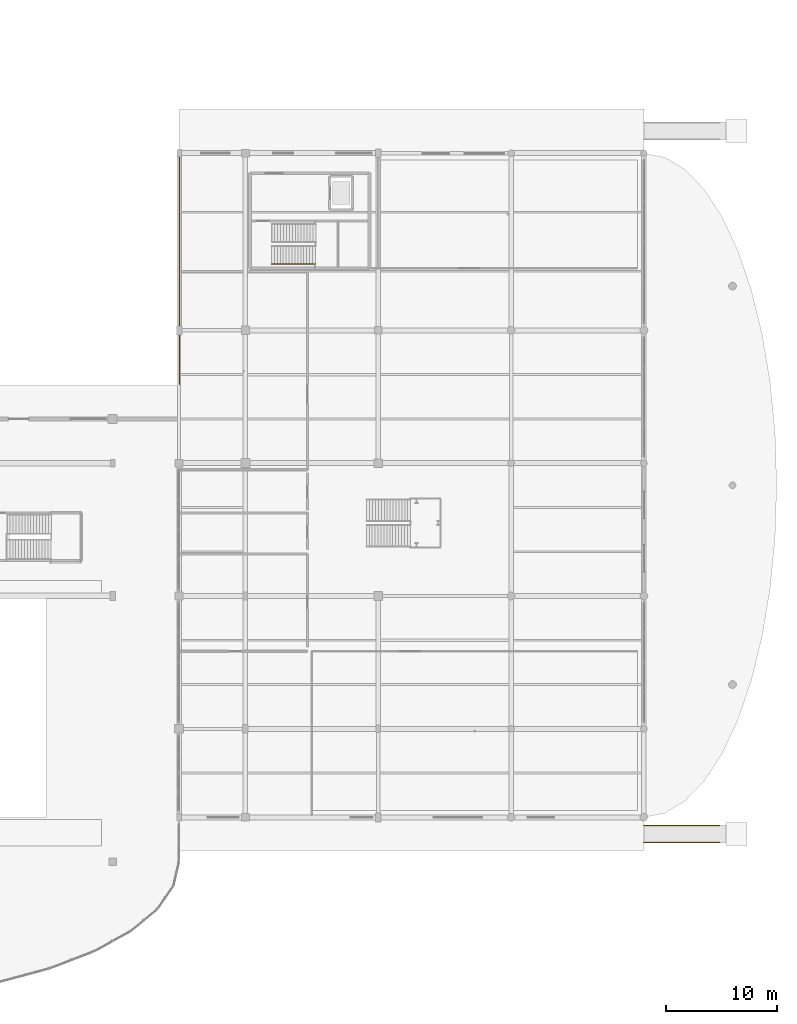
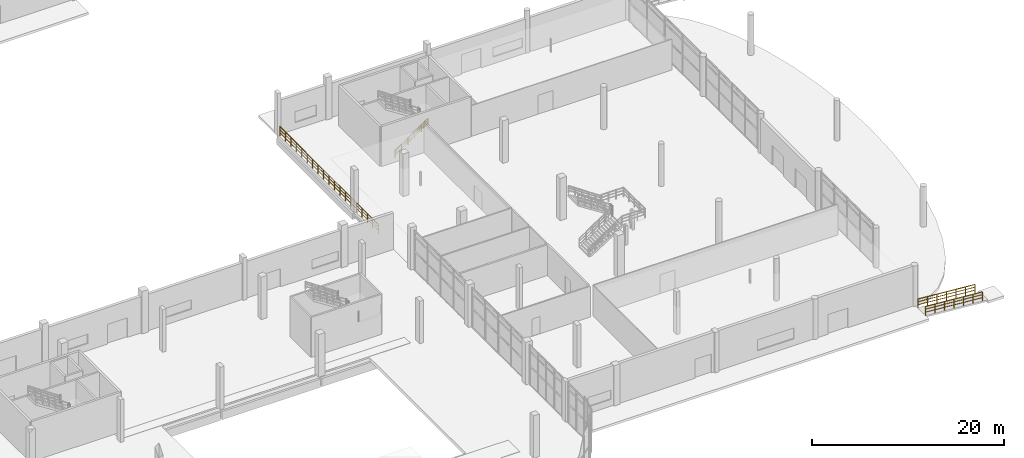
# One storey, part 81 of 85: 4 railings.
"""IFC4 building model written with IfcOpenShell, lengths in metres."""

from ifc_helpers import new_model, si_unit, direction, frame, origin, origin_2d, place, context, subcontext, project, spatial, circle, extrude, material, layer, layer_set, type_object, element, save


model = new_model("IFC4")

# Units and contexts
model_context = context("Model", 3, precision=1e-05, world=origin(), true_north=direction((0.0, 1.0)))
body_context = subcontext(model_context, "Body", "Model", "MODEL_VIEW")
ifc_project = project(units=[si_unit("LENGTHUNIT", "METRE"), si_unit("AREAUNIT", "SQUARE_METRE"), si_unit("VOLUMEUNIT", "CUBIC_METRE"), si_unit("PLANEANGLEUNIT", "RADIAN"), si_unit("MASSUNIT", "GRAM", prefix="KILO"), si_unit("THERMODYNAMICTEMPERATUREUNIT", "KELVIN"), si_unit("POWERUNIT", "WATT")], contexts=[model_context])

# Site, building, storey
site_placement = place(None, origin())
site = spatial("IfcSite", under=ifc_project, at=site_placement, CompositionType="ELEMENT")
building_placement = place(site_placement, origin())
building = spatial("IfcBuilding", under=site, at=building_placement, Name="Solmara Park Aquatics Centre", CompositionType="ELEMENT")
storey_placement = place(building_placement, origin())
storey = spatial("IfcBuildingStorey", under=building, at=storey_placement, Name="L00", CompositionType="ELEMENT", Elevation=0.0)

# Railings
ifc_material_1 = material(Name="Brushed Marine-Grade Stainless Steel 316L Handrail", Category="steel")
ifc_layer_1 = layer(ifc_material_1, 0.044921875, Name="Brushed Marine-Grade Stainless Steel 316L Handrail")
ifc_layer_set_1 = layer_set([ifc_layer_1], Name="Brushed Marine-Grade Stainless Steel 316L Handrail")
railing_type_1 = type_object("IfcRailingType", Name="ARC-RL-HND090", PredefinedType="HANDRAIL", material=ifc_layer_set_1)
railing_1_placement = place(storey_placement, frame((170.35009765625, 66.610107421875, 0.168701171875)))
element("IfcRailing", 1, at=railing_1_placement, inside=storey, type_object=railing_type_1, Name="ST-05 Protected Exit Stair (L00 to L01) Flight 1 Outer Handrail", PredefinedType="HANDRAIL", context=body_context, shape_type="SweptSolid", body=[
    extrude(circle(Radius=0.02392578125, at=origin_2d()), frame((0.0, 0.0, 0.89599609375), z_axis=(0.82718817395, 0.0, 0.56192501713), x_axis=(0.0, 1.0, 0.0)), (0.0, 0.0, 1.0), 4.80517578125),
    extrude(circle(Radius=0.01416015625, at=origin_2d()), frame((0.0, 0.0, 0.322021484375), z_axis=(0.82718817395, 0.0, 0.56192501713), x_axis=(0.0, 1.0, 0.0)), (0.0, 0.0, 1.0), 4.80517578125),
    extrude(circle(Radius=0.01416015625, at=origin_2d()), frame((0.0, 0.0, 0.62548828125), z_axis=(0.82718817395, 0.0, 0.56192501713), x_axis=(0.0, 1.0, 0.0)), (0.0, 0.0, 1.0), 4.80517578125),
    extrude(circle(Radius=0.02099609375, at=origin_2d()), origin(), (0.0, 0.0, 1.0), 0.871826171875),
    extrude(circle(Radius=0.02099609375, at=origin_2d()), frame((0.794921875, 0.0, 0.5400390625)), (0.0, 0.0, 1.0), 0.871826171875),
    extrude(circle(Radius=0.02099609375, at=origin_2d()), frame((1.58984375, 0.0, 1.080078125)), (0.0, 0.0, 1.0), 0.871826171875),
    extrude(circle(Radius=0.02099609375, at=origin_2d()), frame((2.385009765625, 0.0, 1.6201171875)), (0.0, 0.0, 1.0), 0.871826171875),
    extrude(circle(Radius=0.02099609375, at=origin_2d()), frame((3.179931640625, 0.0, 2.16015625)), (0.0, 0.0, 1.0), 0.871826171875),
    extrude(circle(Radius=0.02099609375, at=origin_2d()), frame((3.974853515625, 0.0, 2.7001953125)), (0.0, 0.0, 1.0), 0.871826171875),
])
ifc_material_2 = material(Name="Brushed Marine-Grade Stainless Steel 316L Ramp Handrail", Category="steel")
ifc_layer_2 = layer(ifc_material_2, 0.044921875, Name="Brushed Marine-Grade Stainless Steel 316L Ramp Handrail")
ifc_layer_set_2 = layer_set([ifc_layer_2], Name="Brushed Marine-Grade Stainless Steel 316L Ramp Handrail")
railing_type_2 = type_object("IfcRailingType", Name="ARC-RL-RMP090", PredefinedType="GUARDRAIL", material=ifc_layer_set_2)
for number, where, name in (
    (2, (210.85009765625, 15.8798828125, -0.548095703125), "Main Park Entrance South Accessible Ramp Handrail 1"),
    (3, (210.85009765625, 14.320068359375, -0.548095703125), "Main Park Entrance South Accessible Ramp Handrail 2"),
):
    element("IfcRailing", number, at=place(storey_placement, frame(where)), inside=storey, type_object=railing_type_2, Name=name, PredefinedType="GUARDRAIL", context=body_context, shape_type="SweptSolid", body=[
        extrude(circle(Radius=0.02392578125, at=origin_2d()), frame((0.0, 0.0, 1.1357421875), z_axis=(-0.996814261787, 0.0, 0.079757930633), x_axis=(0.0, -1.0, 0.0)), (0.0, 0.0, 1.0), 6.8720703125),
        extrude(circle(Radius=0.01416015625, at=origin_2d()), frame((0.0, 0.0, 0.406005859375), z_axis=(-0.996814261787, 0.0, 0.079757930633), x_axis=(0.0, -1.0, 0.0)), (0.0, 0.0, 1.0), 6.8720703125),
        extrude(circle(Radius=0.01416015625, at=origin_2d()), frame((0.0, 0.0, 0.788818359375), z_axis=(-0.996814261787, 0.0, 0.079757930633), x_axis=(0.0, -1.0, 0.0)), (0.0, 0.0, 1.0), 6.8720703125),
        extrude(circle(Radius=0.02099609375, at=origin_2d()), origin(), (0.0, 0.0, 1.0), 1.11181640625),
        extrude(circle(Radius=0.02099609375, at=origin_2d()), frame((-1.1416015625, 0.0, 0.09130859375)), (0.0, 0.0, 1.0), 1.11181640625),
        extrude(circle(Radius=0.02099609375, at=origin_2d()), frame((-2.283447265625, 0.0, 0.1826171875)), (0.0, 0.0, 1.0), 1.11181640625),
        extrude(circle(Radius=0.02099609375, at=origin_2d()), frame((-3.425048828125, 0.0, 0.27392578125)), (0.0, 0.0, 1.0), 1.11181640625),
        extrude(circle(Radius=0.02099609375, at=origin_2d()), frame((-4.566650390625, 0.0, 0.365478515625)), (0.0, 0.0, 1.0), 1.11181640625),
        extrude(circle(Radius=0.02099609375, at=origin_2d()), frame((-5.70849609375, 0.0, 0.456787109375)), (0.0, 0.0, 1.0), 1.11181640625),
        extrude(circle(Radius=0.02099609375, at=origin_2d()), frame((-6.85009765625, 0.0, 0.548095703125)), (0.0, 0.0, 1.0), 1.11181640625),
    ])
ifc_material_3 = material(Name="Toughened Glass and Stainless Steel Stand Guardrail", Category="steel")
ifc_layer_3 = layer(ifc_material_3, 0.06005859375, Name="Toughened Glass and Stainless Steel Stand Guardrail")
ifc_layer_set_3 = layer_set([ifc_layer_3], Name="Toughened Glass and Stainless Steel Stand Guardrail")
railing_type_3 = type_object("IfcRailingType", Name="ARC-RL-STD110", PredefinedType="GUARDRAIL", material=ifc_layer_set_3)
railing_2_placement = place(storey_placement, frame((162.06005859375, 55.726318359375, 0.0)))
element("IfcRailing", 4, at=railing_2_placement, inside=storey, type_object=railing_type_3, Name="L00 Slab Edge Guardrail 009", PredefinedType="GUARDRAIL", context=body_context, shape_type="SweptSolid", body=[
    extrude(circle(Radius=0.02392578125, at=origin_2d()), frame((0.0, 0.0, 1.15576171875), z_axis=(0.0, 1.0, 0.0), x_axis=(-1.0, 0.0, 0.0)), (0.0, 0.0, 1.0), 20.498779296875),
    extrude(circle(Radius=0.01416015625, at=origin_2d()), frame((0.0, 0.0, 0.4130859375), z_axis=(0.0, 1.0, 0.0), x_axis=(-1.0, 0.0, 0.0)), (0.0, 0.0, 1.0), 20.498779296875),
    extrude(circle(Radius=0.01416015625, at=origin_2d()), frame((0.0, 0.0, 0.80224609375), z_axis=(0.0, 1.0, 0.0), x_axis=(-1.0, 0.0, 0.0)), (0.0, 0.0, 1.0), 20.498779296875),
    extrude(circle(Radius=0.02099609375, at=origin_2d()), origin(), (0.0, 0.0, 1.0), 1.1318359375),
    extrude(circle(Radius=0.02099609375, at=origin_2d()), frame((0.0, 1.138916015625, 0.0)), (0.0, 0.0, 1.0), 1.1318359375),
    extrude(circle(Radius=0.02099609375, at=origin_2d()), frame((0.0, 2.277587890625, 0.0)), (0.0, 0.0, 1.0), 1.1318359375),
    extrude(circle(Radius=0.02099609375, at=origin_2d()), frame((0.0, 3.41650390625, 0.0)), (0.0, 0.0, 1.0), 1.1318359375),
    extrude(circle(Radius=0.02099609375, at=origin_2d()), frame((0.0, 4.55517578125, 0.0)), (0.0, 0.0, 1.0), 1.1318359375),
    extrude(circle(Radius=0.02099609375, at=origin_2d()), frame((0.0, 5.694091796875, 0.0)), (0.0, 0.0, 1.0), 1.1318359375),
    extrude(circle(Radius=0.02099609375, at=origin_2d()), frame((0.0, 6.8330078125, 0.0)), (0.0, 0.0, 1.0), 1.1318359375),
    extrude(circle(Radius=0.02099609375, at=origin_2d()), frame((0.0, 7.9716796875, 0.0)), (0.0, 0.0, 1.0), 1.1318359375),
    extrude(circle(Radius=0.02099609375, at=origin_2d()), frame((0.0, 9.110595703125, 0.0)), (0.0, 0.0, 1.0), 1.1318359375),
    extrude(circle(Radius=0.02099609375, at=origin_2d()), frame((0.0, 10.24951171875, 0.0)), (0.0, 0.0, 1.0), 1.1318359375),
    extrude(circle(Radius=0.02099609375, at=origin_2d()), frame((0.0, 11.38818359375, 0.0)), (0.0, 0.0, 1.0), 1.1318359375),
    extrude(circle(Radius=0.02099609375, at=origin_2d()), frame((0.0, 12.527099609375, 0.0)), (0.0, 0.0, 1.0), 1.1318359375),
    extrude(circle(Radius=0.02099609375, at=origin_2d()), frame((0.0, 13.665771484375, 0.0)), (0.0, 0.0, 1.0), 1.1318359375),
    extrude(circle(Radius=0.02099609375, at=origin_2d()), frame((0.0, 14.8046875, 0.0)), (0.0, 0.0, 1.0), 1.1318359375),
    extrude(circle(Radius=0.02099609375, at=origin_2d()), frame((0.0, 15.943603515625, 0.0)), (0.0, 0.0, 1.0), 1.1318359375),
    extrude(circle(Radius=0.02099609375, at=origin_2d()), frame((0.0, 17.082275390625, 0.0)), (0.0, 0.0, 1.0), 1.1318359375),
    extrude(circle(Radius=0.02099609375, at=origin_2d()), frame((0.0, 18.22119140625, 0.0)), (0.0, 0.0, 1.0), 1.1318359375),
    extrude(circle(Radius=0.02099609375, at=origin_2d()), frame((0.0, 19.35986328125, 0.0)), (0.0, 0.0, 1.0), 1.1318359375),
    extrude(circle(Radius=0.02099609375, at=origin_2d()), frame((0.0, 20.498779296875, 0.0)), (0.0, 0.0, 1.0), 1.1318359375),
])

save(model, "model.ifc")
